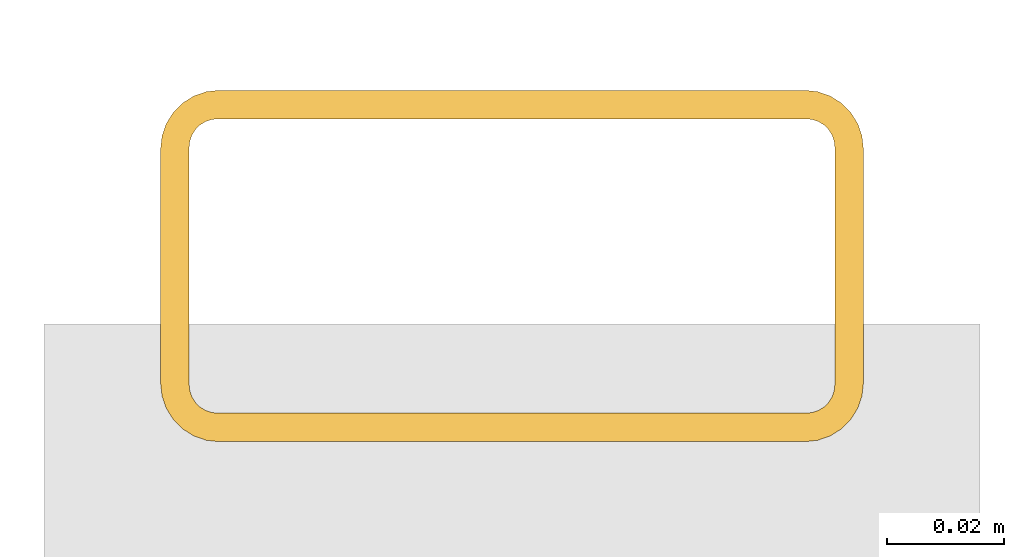
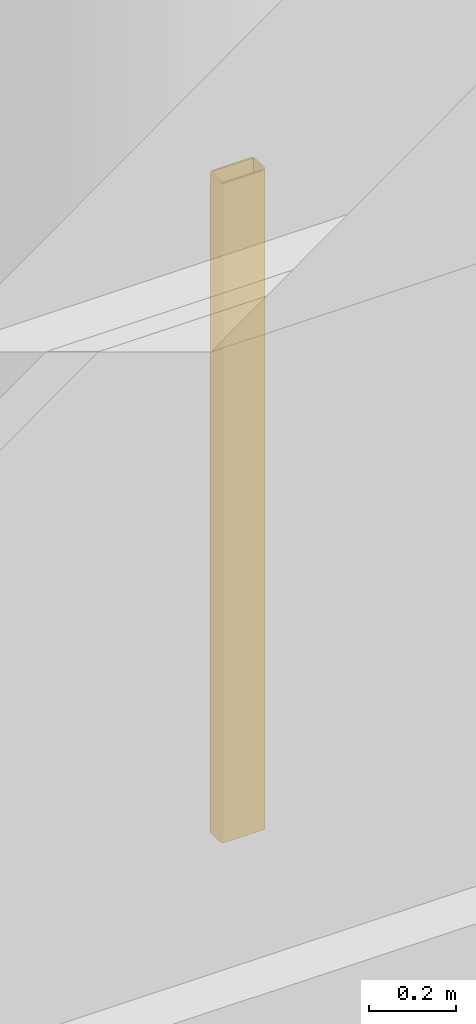
# One storey, part 79 of 93: 1 shading device.
"""IFC4 building model written with IfcOpenShell, lengths in metres."""

from ifc_helpers import new_model, si_unit, derived_unit, direction, frame, origin, origin_2d, place, context, subcontext, project, spatial, hollow_rectangle, extrude, material, material_profile, profile_set, type_object, element, save


model = new_model("IFC4")

# Units and contexts
model_context = context("Model", 3, precision=1e-05, world=origin(), true_north=direction((0.0, 1.0)))
body_context = subcontext(model_context, "Body", "Model", "MODEL_VIEW")
ifc_project = project(units=[si_unit("LENGTHUNIT", "METRE"), si_unit("AREAUNIT", "SQUARE_METRE"), si_unit("VOLUMEUNIT", "CUBIC_METRE"), si_unit("PLANEANGLEUNIT", "RADIAN"), si_unit("MASSUNIT", "GRAM", prefix="KILO"), derived_unit("THERMALTRANSMITTANCEUNIT", [(si_unit("MASSUNIT", "GRAM", prefix="KILO"), 1), (si_unit("TIMEUNIT", "SECOND"), -3), (si_unit("THERMODYNAMICTEMPERATUREUNIT", "KELVIN"), -1)])], contexts=[model_context])

# Site, building, storey
site_placement = place(None, origin())
site = spatial("IfcSite", under=ifc_project, at=site_placement, CompositionType="ELEMENT")
building_placement = place(site_placement, origin())
building = spatial("IfcBuilding", under=site, at=building_placement, Name="Kharveza Railside Sports Centre", CompositionType="ELEMENT")
storey_placement = place(building_placement, origin())
storey = spatial("IfcBuildingStorey", under=building, at=storey_placement, Name="L00", CompositionType="ELEMENT", Elevation=0.0)

# Shading device
ifc_material = material(Name="Anodised aluminium 6063-T6", Category="aluminium")
ifc_material_profile = material_profile(ifc_material, hollow_rectangle(XDim=0.06005859375, YDim=0.1201171875, WallThickness=0.0048828125, InnerFilletRadius=0.0048828125, OuterFilletRadius=0.010009765625, at=origin_2d()), Name="RHS 60x120x5.0")
ifc_profile_set = profile_set([ifc_material_profile], Name="Anodised aluminium 6063-T6")
shading_device_type = type_object("IfcShadingDeviceType", Name="SD-LV01", PredefinedType="JALOUSIE", material=ifc_profile_set)
shading_device_placement = place(storey_placement, frame((96.978515625, 43.639892578125, 0.85009765625), z_axis=(0.0, 0.0, 1.0), x_axis=(0.0, 1.0, 0.0)))
element("IfcShadingDevice", 1, at=shading_device_placement, inside=storey, type_object=shading_device_type, Name="SD-FIN-016", PredefinedType="JALOUSIE", context=body_context, shape_type="SweptSolid", body=[
    extrude(hollow_rectangle(XDim=0.06005859375, YDim=0.1201171875, WallThickness=0.0048828125, InnerFilletRadius=0.0048828125, OuterFilletRadius=0.010009765625, at=origin_2d()), origin(), (0.0, 0.0, 1.0), 1.849853515625),
])

save(model, "model.ifc")
